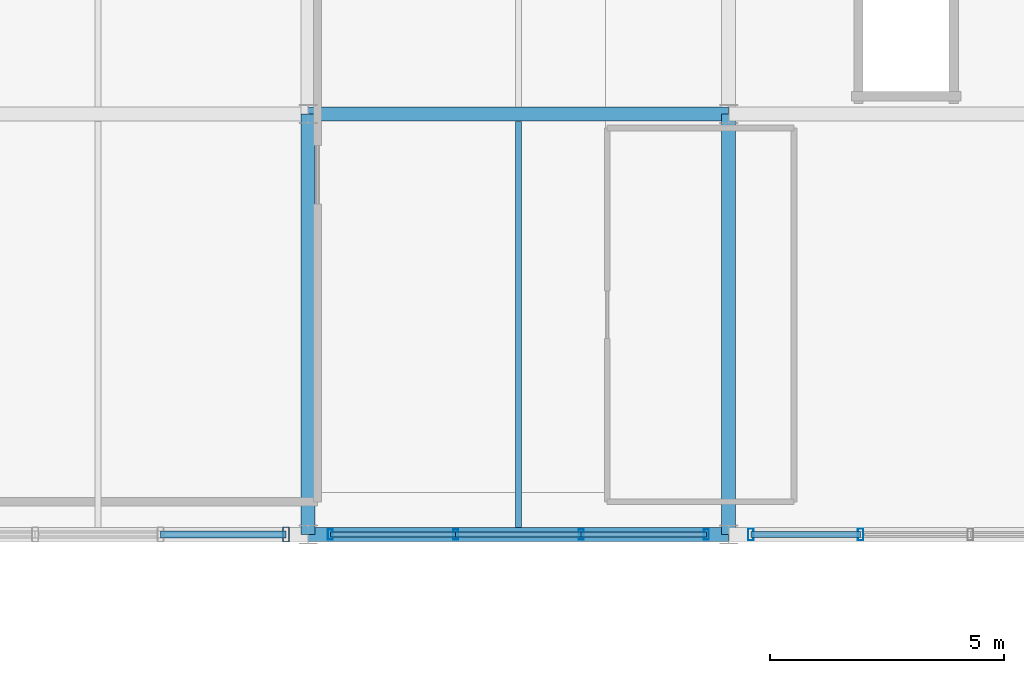
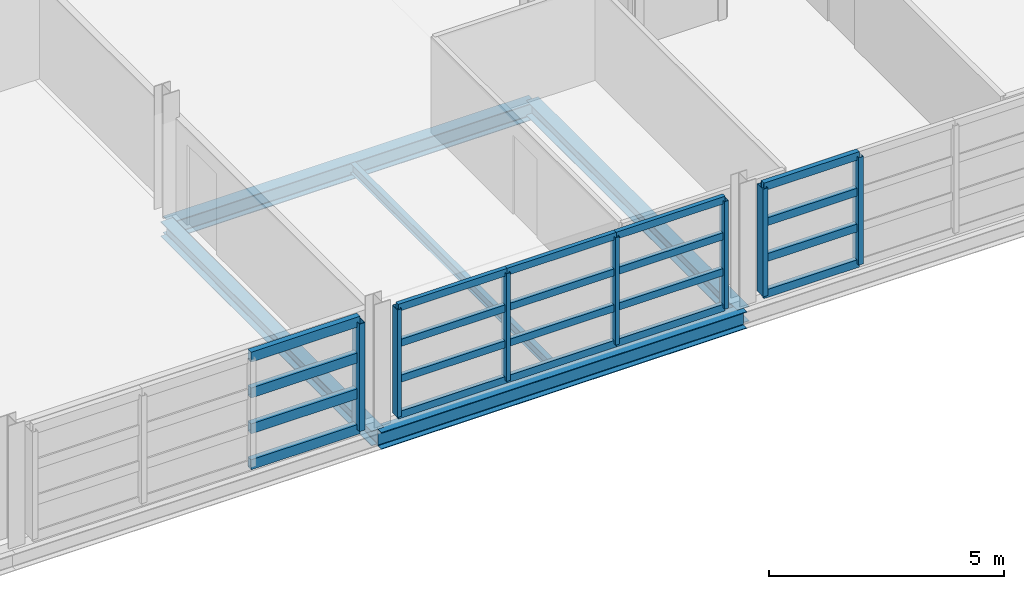
# One storey, part 42 of 86: 27 members, 5 beams, 3 elements without a shape of their own.
"""IFC4 building model written with IfcOpenShell, lengths in metres."""

from ifc_helpers import new_model, si_unit, direction, frame, origin, origin_2d, place, context, subcontext, project, spatial, hollow_rectangle, i_section, extrude, material, material_profile, profile_set, type_object, element, aggregate, save


model = new_model("IFC4")

# Units and contexts
model_context = context("Model", 3, precision=1e-05, world=origin(), true_north=direction((0.0, 1.0)))
body_context = subcontext(model_context, "Body", "Model", "MODEL_VIEW")
ifc_project = project(units=[si_unit("LENGTHUNIT", "METRE"), si_unit("AREAUNIT", "SQUARE_METRE"), si_unit("VOLUMEUNIT", "CUBIC_METRE"), si_unit("PLANEANGLEUNIT", "RADIAN"), si_unit("MASSUNIT", "GRAM", prefix="KILO")], contexts=[model_context])

# Site, building, storey
site_placement = place(None, origin())
site = spatial("IfcSite", under=ifc_project, at=site_placement, CompositionType="ELEMENT")
building_placement = place(site_placement, origin())
building = spatial("IfcBuilding", under=site, at=building_placement, Name="Chuanluo Vaults Station", CompositionType="ELEMENT")
storey_placement = place(building_placement, frame((0.0, 0.0, 14.39990234375)))
storey = spatial("IfcBuildingStorey", under=building, at=storey_placement, Name="L03", CompositionType="ELEMENT", Elevation=14.39990234375)

# Beams
ifc_material_1 = material(Name="Steel Q355C", Category="steel")
ifc_material_profile_1 = material_profile(ifc_material_1, i_section(OverallWidth=0.300048828125, OverallDepth=0.389892578125, WebThickness=0.010009765625, FlangeThickness=0.01611328125, FilletRadius=0.02001953125, at=origin_2d()))
ifc_profile_set_1 = profile_set([ifc_material_profile_1], Name="Steel Q355C")
beam_type_1 = type_object("IfcBeamType", Name="BM-GRD-400", PredefinedType="BEAM", material=ifc_profile_set_1)
for number, where, z_axis, x_axis, name in (
    (1, (163.0, 67.5, -0.414794921875), (0.0, 1.0, 0.0), (-1.0, 0.0, 0.0), "Floor girder BM:GY:L03:0808"),
    (2, (172.0, 67.5, -0.414794921875), (0.0, 1.0, 0.0), (-1.0, 0.0, 0.0), "Floor girder BM:GY:L03:0818"),
):
    element("IfcBeam", number, at=place(storey_placement, frame(where, z_axis=z_axis, x_axis=x_axis)), inside=storey, type_object=beam_type_1, Name=name, PredefinedType="BEAM", context=body_context, shape_type="SweptSolid", body=[
        extrude(i_section(OverallWidth=0.300048828125, OverallDepth=0.389892578125, WebThickness=0.010009765625, FlangeThickness=0.01611328125, FilletRadius=0.02001953125, at=origin_2d()), origin(), (0.0, 0.0, 1.0), 9.0),
    ])
ifc_material_2 = material(Name="Steel Q355C", Category="steel")
ifc_material_profile_2 = material_profile(ifc_material_2, i_section(OverallWidth=0.300048828125, OverallDepth=0.43994140625, WebThickness=0.010986328125, FlangeThickness=0.01806640625, FilletRadius=0.02001953125, at=origin_2d()))
ifc_profile_set_2 = profile_set([ifc_material_profile_2], Name="Steel Q355C")
beam_type_2 = type_object("IfcBeamType", Name="BM-GRD-450", PredefinedType="USERDEFINED", material=ifc_profile_set_2)
for number, where, z_axis, x_axis, name in (
    (3, (163.0, 67.5, -0.43994140625), (1.0, 0.0, 0.0), (0.0, 1.0, 0.0), "Floor girder BM:GX:L03:0736"),
    (4, (163.0, 76.5, -0.43994140625), (1.0, 0.0, 0.0), (0.0, 1.0, 0.0), "Floor girder BM:GX:L03:0741"),
):
    element("IfcBeam", number, at=place(storey_placement, frame(where, z_axis=z_axis, x_axis=x_axis)), inside=storey, type_object=beam_type_2, Name=name, ObjectType="GIRDER", PredefinedType="USERDEFINED", context=body_context, shape_type="SweptSolid", body=[
        extrude(i_section(OverallWidth=0.300048828125, OverallDepth=0.43994140625, WebThickness=0.010986328125, FlangeThickness=0.01806640625, FilletRadius=0.02001953125, at=origin_2d()), origin(), (0.0, 0.0, 1.0), 9.0),
    ])
ifc_material_3 = material(Name="Steel Q355C", Category="steel")
ifc_material_profile_3 = material_profile(ifc_material_3, i_section(OverallWidth=0.125, OverallDepth=0.25, WebThickness=0.006103515625, FlangeThickness=0.009033203125, FilletRadius=0.011962890625, at=origin_2d()))
ifc_profile_set_3 = profile_set([ifc_material_profile_3], Name="Steel Q355C")
beam_type_3 = type_object("IfcBeamType", Name="BM-SEC-250", PredefinedType="JOIST", material=ifc_profile_set_3)
beam_placement = place(storey_placement, frame((167.5, 67.655029296875, -0.344970703125), z_axis=(0.0, 1.0, 0.0), x_axis=(-1.0, 0.0, 0.0)))
element("IfcBeam", 5, at=beam_placement, inside=storey, type_object=beam_type_3, Name="Composite secondary joist 0253", PredefinedType="JOIST", context=body_context, shape_type="SweptSolid", body=[
    extrude(i_section(OverallWidth=0.125, OverallDepth=0.25, WebThickness=0.006103515625, FlangeThickness=0.009033203125, FilletRadius=0.011962890625, at=origin_2d()), origin(), (0.0, 0.0, 1.0), 8.68994140625),
])

# Curtain wall, members
ifc_material_4 = material(Name="Anodised aluminium 6063-T6", Category="aluminium")
curtain_wall_type_1 = type_object("IfcCurtainWallType", Name="CW-SYS-20", PredefinedType="NOTDEFINED", material=ifc_material_4)
curtain_wall_1_placement = place(storey_placement, origin())
curtain_wall_1 = element("IfcCurtainWall", 6, at=curtain_wall_1_placement, inside=storey, type_object=curtain_wall_type_1, Name="Operations L03 facade CW", PredefinedType="NOTDEFINED")
ifc_material_5 = material(Name="Anodised aluminium 6063-T6", Category="aluminium")
ifc_material_profile_4 = material_profile(ifc_material_5, hollow_rectangle(XDim=0.10498046875, YDim=0.219970703125, WallThickness=0.006103515625, at=origin_2d()))
ifc_profile_set_4 = profile_set([ifc_material_profile_4], Name="Anodised aluminium 6063-T6")
member_type_1 = type_object("IfcMemberType", Name="CWM-140", PredefinedType="MULLION", material=ifc_profile_set_4)
member_1_placement = place(storey_placement, frame((171.52490234375, 67.5, 0.0), z_axis=(0.0, 0.0, 1.0), x_axis=(-1.0, 0.0, 0.0)))
member_1 = element("IfcMember", 7, at=member_1_placement, type_object=member_type_1, Name="Operations L03 facade CW mullion 1", PredefinedType="MULLION", context=body_context, shape_type="SweptSolid", body=[
    extrude(hollow_rectangle(XDim=0.10498046875, YDim=0.219970703125, WallThickness=0.006103515625, at=origin_2d()), origin(), (0.0, 0.0, 1.0), 2.800048828125),
])
member_2_placement = place(storey_placement, frame((168.841796875, 67.5, 0.0), z_axis=(0.0, 0.0, 1.0), x_axis=(-1.0, 0.0, 0.0)))
member_2 = element("IfcMember", 8, at=member_2_placement, type_object=member_type_1, Name="Operations L03 facade CW mullion 2", PredefinedType="MULLION", context=body_context, shape_type="SweptSolid", body=[
    extrude(hollow_rectangle(XDim=0.10498046875, YDim=0.219970703125, WallThickness=0.006103515625, at=origin_2d()), origin(), (0.0, 0.0, 1.0), 2.800048828125),
])
member_3_placement = place(storey_placement, frame((166.158203125, 67.5, 0.0), z_axis=(0.0, 0.0, 1.0), x_axis=(-1.0, 0.0, 0.0)))
member_3 = element("IfcMember", 9, at=member_3_placement, type_object=member_type_1, Name="Operations L03 facade CW mullion 3", PredefinedType="MULLION", context=body_context, shape_type="SweptSolid", body=[
    extrude(hollow_rectangle(XDim=0.10498046875, YDim=0.219970703125, WallThickness=0.006103515625, at=origin_2d()), origin(), (0.0, 0.0, 1.0), 2.800048828125),
])
member_4_placement = place(storey_placement, frame((163.47509765625, 67.5, 0.0), z_axis=(0.0, 0.0, 1.0), x_axis=(-1.0, 0.0, 0.0)))
member_4 = element("IfcMember", 10, at=member_4_placement, type_object=member_type_1, Name="Operations L03 facade CW mullion 4", PredefinedType="MULLION", context=body_context, shape_type="SweptSolid", body=[
    extrude(hollow_rectangle(XDim=0.10498046875, YDim=0.219970703125, WallThickness=0.006103515625, at=origin_2d()), origin(), (0.0, 0.0, 1.0), 2.800048828125),
])

ifc_material_6 = material(Name="Anodised aluminium 6063-T6", Category="aluminium")
curtain_wall_type_2 = type_object("IfcCurtainWallType", Name="CW-SYS-19", PredefinedType="NOTDEFINED", material=ifc_material_6)
curtain_wall_2_placement = place(storey_placement, origin())
curtain_wall_2 = element("IfcCurtainWall", 11, at=curtain_wall_2_placement, inside=storey, type_object=curtain_wall_type_2, Name="Operations L03 facade CW part 2", PredefinedType="NOTDEFINED")
ifc_material_7 = material(Name="Anodised aluminium 6063-T6", Category="aluminium")
ifc_material_profile_5 = material_profile(ifc_material_7, hollow_rectangle(XDim=0.1201171875, YDim=0.25, WallThickness=0.006103515625, at=origin_2d()))
ifc_profile_set_5 = profile_set([ifc_material_profile_5], Name="Anodised aluminium 6063-T6")
member_type_2 = type_object("IfcMemberType", Name="CWM-160", PredefinedType="MULLION", material=ifc_profile_set_5)
member_5_placement = place(storey_placement, frame((174.824951171875, 67.5, 0.0), z_axis=(0.0, 0.0, 1.0), x_axis=(-1.0, 0.0, 0.0)))
member_5 = element("IfcMember", 12, at=member_5_placement, type_object=member_type_2, Name="Operations L03 facade CW part 2 mullion 3", PredefinedType="MULLION", context=body_context, shape_type="SweptSolid", body=[
    extrude(hollow_rectangle(XDim=0.1201171875, YDim=0.25, WallThickness=0.006103515625, at=origin_2d()), origin(), (0.0, 0.0, 1.0), 2.800048828125),
])
member_6_placement = place(storey_placement, frame((172.47509765625, 67.5, 0.0), z_axis=(0.0, 0.0, 1.0), x_axis=(-1.0, 0.0, 0.0)))
member_6 = element("IfcMember", 13, at=member_6_placement, type_object=member_type_2, Name="Operations L03 facade CW part 2 mullion 4", PredefinedType="MULLION", context=body_context, shape_type="SweptSolid", body=[
    extrude(hollow_rectangle(XDim=0.1201171875, YDim=0.25, WallThickness=0.006103515625, at=origin_2d()), origin(), (0.0, 0.0, 1.0), 2.800048828125),
])

# Curtain wall, member
ifc_material_8 = material(Name="Anodised aluminium 6063-T6", Category="aluminium")
curtain_wall_type_3 = type_object("IfcCurtainWallType", Name="CW-SYS-21", PredefinedType="NOTDEFINED", material=ifc_material_8)
curtain_wall_3_placement = place(storey_placement, origin())
curtain_wall_3 = element("IfcCurtainWall", 14, at=curtain_wall_3_placement, inside=storey, type_object=curtain_wall_type_3, Name="Operations L03 facade CW", PredefinedType="NOTDEFINED")
ifc_material_9 = material(Name="Anodised aluminium 6063-T6", Category="aluminium")
ifc_material_profile_6 = material_profile(ifc_material_9, hollow_rectangle(XDim=0.139892578125, YDim=0.320068359375, WallThickness=0.008056640625, at=origin_2d()))
ifc_profile_set_6 = profile_set([ifc_material_profile_6], Name="Anodised aluminium 6063-T6")
member_type_3 = type_object("IfcMemberType", Name="CWM-220", PredefinedType="MULLION", material=ifc_profile_set_6)
member_7_placement = place(storey_placement, frame((162.52490234375, 67.5, 0.0), z_axis=(0.0, 0.0, 1.0), x_axis=(-1.0, 0.0, 0.0)))
member_7 = element("IfcMember", 15, at=member_7_placement, type_object=member_type_3, Name="Operations L03 facade CW mullion 1", PredefinedType="MULLION", context=body_context, shape_type="SweptSolid", body=[
    extrude(hollow_rectangle(XDim=0.139892578125, YDim=0.320068359375, WallThickness=0.008056640625, at=origin_2d()), origin(), (0.0, 0.0, 1.0), 2.800048828125),
])

# Member
ifc_material_10 = material(Name="Anodised aluminium 6063-T6", Category="aluminium")
ifc_material_profile_7 = material_profile(ifc_material_10, hollow_rectangle(XDim=0.10498046875, YDim=0.18505859375, WallThickness=0.0048828125, at=origin_2d()))
ifc_profile_set_7 = profile_set([ifc_material_profile_7], Name="Anodised aluminium 6063-T6")
member_type_4 = type_object("IfcMemberType", Name="CWT-110", PredefinedType="USERDEFINED", material=ifc_profile_set_7)
member_8_placement = place(storey_placement, frame((171.52490234375, 67.5, 0.0), z_axis=(-1.0, 0.0, 0.0), x_axis=(0.0, -1.0, 0.0)))
member_8 = element("IfcMember", 16, at=member_8_placement, type_object=member_type_4, Name="Operations L03 facade CW transom 1.1", ObjectType="TRANSOM", PredefinedType="USERDEFINED", context=body_context, shape_type="SweptSolid", body=[
    extrude(hollow_rectangle(XDim=0.10498046875, YDim=0.18505859375, WallThickness=0.0048828125, at=origin_2d()), origin(), (0.0, 0.0, 1.0), 2.68310546875),
])

member_9_placement = place(storey_placement, frame((171.52490234375, 67.5, 0.933349609375), z_axis=(-1.0, 0.0, 0.0), x_axis=(0.0, -1.0, 0.0)))
member_9 = element("IfcMember", 17, at=member_9_placement, type_object=member_type_4, Name="Operations L03 facade CW transom 1.2", ObjectType="TRANSOM", PredefinedType="USERDEFINED", context=body_context, shape_type="SweptSolid", body=[
    extrude(hollow_rectangle(XDim=0.10498046875, YDim=0.18505859375, WallThickness=0.0048828125, at=origin_2d()), origin(), (0.0, 0.0, 1.0), 2.68310546875),
])

member_10_placement = place(storey_placement, frame((171.52490234375, 67.5, 1.86669921875), z_axis=(-1.0, 0.0, 0.0), x_axis=(0.0, -1.0, 0.0)))
member_10 = element("IfcMember", 18, at=member_10_placement, type_object=member_type_4, Name="Operations L03 facade CW transom 1.3", ObjectType="TRANSOM", PredefinedType="USERDEFINED", context=body_context, shape_type="SweptSolid", body=[
    extrude(hollow_rectangle(XDim=0.10498046875, YDim=0.18505859375, WallThickness=0.0048828125, at=origin_2d()), origin(), (0.0, 0.0, 1.0), 2.68310546875),
])

member_11_placement = place(storey_placement, frame((171.52490234375, 67.5, 2.800048828125), z_axis=(-1.0, 0.0, 0.0), x_axis=(0.0, -1.0, 0.0)))
member_11 = element("IfcMember", 19, at=member_11_placement, type_object=member_type_4, Name="Operations L03 facade CW transom 1.4", ObjectType="TRANSOM", PredefinedType="USERDEFINED", context=body_context, shape_type="SweptSolid", body=[
    extrude(hollow_rectangle(XDim=0.10498046875, YDim=0.18505859375, WallThickness=0.0048828125, at=origin_2d()), origin(), (0.0, 0.0, 1.0), 2.68310546875),
])

member_12_placement = place(storey_placement, frame((168.841796875, 67.5, 0.0), z_axis=(-1.0, 0.0, 0.0), x_axis=(0.0, -1.0, 0.0)))
member_12 = element("IfcMember", 20, at=member_12_placement, type_object=member_type_4, Name="Operations L03 facade CW transom 2.1", ObjectType="TRANSOM", PredefinedType="USERDEFINED", context=body_context, shape_type="SweptSolid", body=[
    extrude(hollow_rectangle(XDim=0.10498046875, YDim=0.18505859375, WallThickness=0.0048828125, at=origin_2d()), origin(), (0.0, 0.0, 1.0), 2.68359375),
])

member_13_placement = place(storey_placement, frame((168.841796875, 67.5, 0.933349609375), z_axis=(-1.0, 0.0, 0.0), x_axis=(0.0, -1.0, 0.0)))
member_13 = element("IfcMember", 21, at=member_13_placement, type_object=member_type_4, Name="Operations L03 facade CW transom 2.2", ObjectType="TRANSOM", PredefinedType="USERDEFINED", context=body_context, shape_type="SweptSolid", body=[
    extrude(hollow_rectangle(XDim=0.10498046875, YDim=0.18505859375, WallThickness=0.0048828125, at=origin_2d()), origin(), (0.0, 0.0, 1.0), 2.68359375),
])

member_14_placement = place(storey_placement, frame((168.841796875, 67.5, 1.86669921875), z_axis=(-1.0, 0.0, 0.0), x_axis=(0.0, -1.0, 0.0)))
member_14 = element("IfcMember", 22, at=member_14_placement, type_object=member_type_4, Name="Operations L03 facade CW transom 2.3", ObjectType="TRANSOM", PredefinedType="USERDEFINED", context=body_context, shape_type="SweptSolid", body=[
    extrude(hollow_rectangle(XDim=0.10498046875, YDim=0.18505859375, WallThickness=0.0048828125, at=origin_2d()), origin(), (0.0, 0.0, 1.0), 2.68359375),
])

member_15_placement = place(storey_placement, frame((168.841796875, 67.5, 2.800048828125), z_axis=(-1.0, 0.0, 0.0), x_axis=(0.0, -1.0, 0.0)))
member_15 = element("IfcMember", 23, at=member_15_placement, type_object=member_type_4, Name="Operations L03 facade CW transom 2.4", ObjectType="TRANSOM", PredefinedType="USERDEFINED", context=body_context, shape_type="SweptSolid", body=[
    extrude(hollow_rectangle(XDim=0.10498046875, YDim=0.18505859375, WallThickness=0.0048828125, at=origin_2d()), origin(), (0.0, 0.0, 1.0), 2.68359375),
])

member_16_placement = place(storey_placement, frame((166.158203125, 67.5, 0.0), z_axis=(-1.0, 0.0, 0.0), x_axis=(0.0, -1.0, 0.0)))
member_16 = element("IfcMember", 24, at=member_16_placement, type_object=member_type_4, Name="Operations L03 facade CW transom 3.1", ObjectType="TRANSOM", PredefinedType="USERDEFINED", context=body_context, shape_type="SweptSolid", body=[
    extrude(hollow_rectangle(XDim=0.10498046875, YDim=0.18505859375, WallThickness=0.0048828125, at=origin_2d()), origin(), (0.0, 0.0, 1.0), 2.68310546875),
])

member_17_placement = place(storey_placement, frame((166.158203125, 67.5, 0.933349609375), z_axis=(-1.0, 0.0, 0.0), x_axis=(0.0, -1.0, 0.0)))
member_17 = element("IfcMember", 25, at=member_17_placement, type_object=member_type_4, Name="Operations L03 facade CW transom 3.2", ObjectType="TRANSOM", PredefinedType="USERDEFINED", context=body_context, shape_type="SweptSolid", body=[
    extrude(hollow_rectangle(XDim=0.10498046875, YDim=0.18505859375, WallThickness=0.0048828125, at=origin_2d()), origin(), (0.0, 0.0, 1.0), 2.68310546875),
])

member_18_placement = place(storey_placement, frame((166.158203125, 67.5, 1.86669921875), z_axis=(-1.0, 0.0, 0.0), x_axis=(0.0, -1.0, 0.0)))
member_18 = element("IfcMember", 26, at=member_18_placement, type_object=member_type_4, Name="Operations L03 facade CW transom 3.3", ObjectType="TRANSOM", PredefinedType="USERDEFINED", context=body_context, shape_type="SweptSolid", body=[
    extrude(hollow_rectangle(XDim=0.10498046875, YDim=0.18505859375, WallThickness=0.0048828125, at=origin_2d()), origin(), (0.0, 0.0, 1.0), 2.68310546875),
])

member_19_placement = place(storey_placement, frame((166.158203125, 67.5, 2.800048828125), z_axis=(-1.0, 0.0, 0.0), x_axis=(0.0, -1.0, 0.0)))
member_19 = element("IfcMember", 27, at=member_19_placement, type_object=member_type_4, Name="Operations L03 facade CW transom 3.4", ObjectType="TRANSOM", PredefinedType="USERDEFINED", context=body_context, shape_type="SweptSolid", body=[
    extrude(hollow_rectangle(XDim=0.10498046875, YDim=0.18505859375, WallThickness=0.0048828125, at=origin_2d()), origin(), (0.0, 0.0, 1.0), 2.68310546875),
])

aggregate(curtain_wall_1, [member_1, member_2, member_3, member_4, member_8, member_9, member_10, member_11, member_12, member_13, member_14, member_15, member_16, member_17, member_18, member_19])

ifc_material_11 = material(Name="Anodised aluminium 6063-T6", Category="aluminium")
ifc_material_profile_8 = material_profile(ifc_material_11, hollow_rectangle(XDim=0.1201171875, YDim=0.205078125, WallThickness=0.006103515625, at=origin_2d()))
ifc_profile_set_8 = profile_set([ifc_material_profile_8], Name="Anodised aluminium 6063-T6")
member_type_5 = type_object("IfcMemberType", Name="CWT-130", PredefinedType="USERDEFINED", material=ifc_profile_set_8)
member_20_placement = place(storey_placement, frame((174.824951171875, 67.5, 0.0), z_axis=(-1.0, 0.0, 0.0), x_axis=(0.0, -1.0, 0.0)))
member_20 = element("IfcMember", 28, at=member_20_placement, type_object=member_type_5, Name="Operations L03 facade CW part 2 transom 3.1", ObjectType="TRANSOM", PredefinedType="USERDEFINED", context=body_context, shape_type="SweptSolid", body=[
    extrude(hollow_rectangle(XDim=0.1201171875, YDim=0.205078125, WallThickness=0.006103515625, at=origin_2d()), origin(), (0.0, 0.0, 1.0), 2.349853515625),
])

member_21_placement = place(storey_placement, frame((174.824951171875, 67.5, 0.933349609375), z_axis=(-1.0, 0.0, 0.0), x_axis=(0.0, -1.0, 0.0)))
member_21 = element("IfcMember", 29, at=member_21_placement, type_object=member_type_5, Name="Operations L03 facade CW part 2 transom 3.2", ObjectType="TRANSOM", PredefinedType="USERDEFINED", context=body_context, shape_type="SweptSolid", body=[
    extrude(hollow_rectangle(XDim=0.1201171875, YDim=0.205078125, WallThickness=0.006103515625, at=origin_2d()), origin(), (0.0, 0.0, 1.0), 2.349853515625),
])

member_22_placement = place(storey_placement, frame((174.824951171875, 67.5, 1.86669921875), z_axis=(-1.0, 0.0, 0.0), x_axis=(0.0, -1.0, 0.0)))
member_22 = element("IfcMember", 30, at=member_22_placement, type_object=member_type_5, Name="Operations L03 facade CW part 2 transom 3.3", ObjectType="TRANSOM", PredefinedType="USERDEFINED", context=body_context, shape_type="SweptSolid", body=[
    extrude(hollow_rectangle(XDim=0.1201171875, YDim=0.205078125, WallThickness=0.006103515625, at=origin_2d()), origin(), (0.0, 0.0, 1.0), 2.349853515625),
])

member_23_placement = place(storey_placement, frame((174.824951171875, 67.5, 2.800048828125), z_axis=(-1.0, 0.0, 0.0), x_axis=(0.0, -1.0, 0.0)))
member_23 = element("IfcMember", 31, at=member_23_placement, type_object=member_type_5, Name="Operations L03 facade CW part 2 transom 3.4", ObjectType="TRANSOM", PredefinedType="USERDEFINED", context=body_context, shape_type="SweptSolid", body=[
    extrude(hollow_rectangle(XDim=0.1201171875, YDim=0.205078125, WallThickness=0.006103515625, at=origin_2d()), origin(), (0.0, 0.0, 1.0), 2.349853515625),
])

aggregate(curtain_wall_2, [member_5, member_6, member_20, member_21, member_22, member_23])

ifc_material_12 = material(Name="Anodised aluminium 6063-T6", Category="aluminium")
ifc_material_profile_9 = material_profile(ifc_material_12, hollow_rectangle(XDim=0.139892578125, YDim=0.260009765625, WallThickness=0.007080078125, at=origin_2d()))
ifc_profile_set_9 = profile_set([ifc_material_profile_9], Name="Anodised aluminium 6063-T6")
member_type_6 = type_object("IfcMemberType", Name="CWT-180", PredefinedType="USERDEFINED", material=ifc_profile_set_9)
member_24_placement = place(storey_placement, frame((162.52490234375, 67.5, 0.0), z_axis=(-1.0, 0.0, 0.0), x_axis=(0.0, -1.0, 0.0)))
member_24 = element("IfcMember", 32, at=member_24_placement, type_object=member_type_6, Name="Operations L03 facade CW transom 1.1", ObjectType="TRANSOM", PredefinedType="USERDEFINED", context=body_context, shape_type="SweptSolid", body=[
    extrude(hollow_rectangle(XDim=0.139892578125, YDim=0.260009765625, WallThickness=0.007080078125, at=origin_2d()), origin(), (0.0, 0.0, 1.0), 2.68310546875),
])

member_25_placement = place(storey_placement, frame((162.52490234375, 67.5, 0.933349609375), z_axis=(-1.0, 0.0, 0.0), x_axis=(0.0, -1.0, 0.0)))
member_25 = element("IfcMember", 33, at=member_25_placement, type_object=member_type_6, Name="Operations L03 facade CW transom 1.2", ObjectType="TRANSOM", PredefinedType="USERDEFINED", context=body_context, shape_type="SweptSolid", body=[
    extrude(hollow_rectangle(XDim=0.139892578125, YDim=0.260009765625, WallThickness=0.007080078125, at=origin_2d()), origin(), (0.0, 0.0, 1.0), 2.68310546875),
])

member_26_placement = place(storey_placement, frame((162.52490234375, 67.5, 1.86669921875), z_axis=(-1.0, 0.0, 0.0), x_axis=(0.0, -1.0, 0.0)))
member_26 = element("IfcMember", 34, at=member_26_placement, type_object=member_type_6, Name="Operations L03 facade CW transom 1.3", ObjectType="TRANSOM", PredefinedType="USERDEFINED", context=body_context, shape_type="SweptSolid", body=[
    extrude(hollow_rectangle(XDim=0.139892578125, YDim=0.260009765625, WallThickness=0.007080078125, at=origin_2d()), origin(), (0.0, 0.0, 1.0), 2.68310546875),
])

member_27_placement = place(storey_placement, frame((162.52490234375, 67.5, 2.800048828125), z_axis=(-1.0, 0.0, 0.0), x_axis=(0.0, -1.0, 0.0)))
member_27 = element("IfcMember", 35, at=member_27_placement, type_object=member_type_6, Name="Operations L03 facade CW transom 1.4", ObjectType="TRANSOM", PredefinedType="USERDEFINED", context=body_context, shape_type="SweptSolid", body=[
    extrude(hollow_rectangle(XDim=0.139892578125, YDim=0.260009765625, WallThickness=0.007080078125, at=origin_2d()), origin(), (0.0, 0.0, 1.0), 2.68310546875),
])

aggregate(curtain_wall_3, [member_7, member_24, member_25, member_26, member_27])

save(model, "model.ifc")
